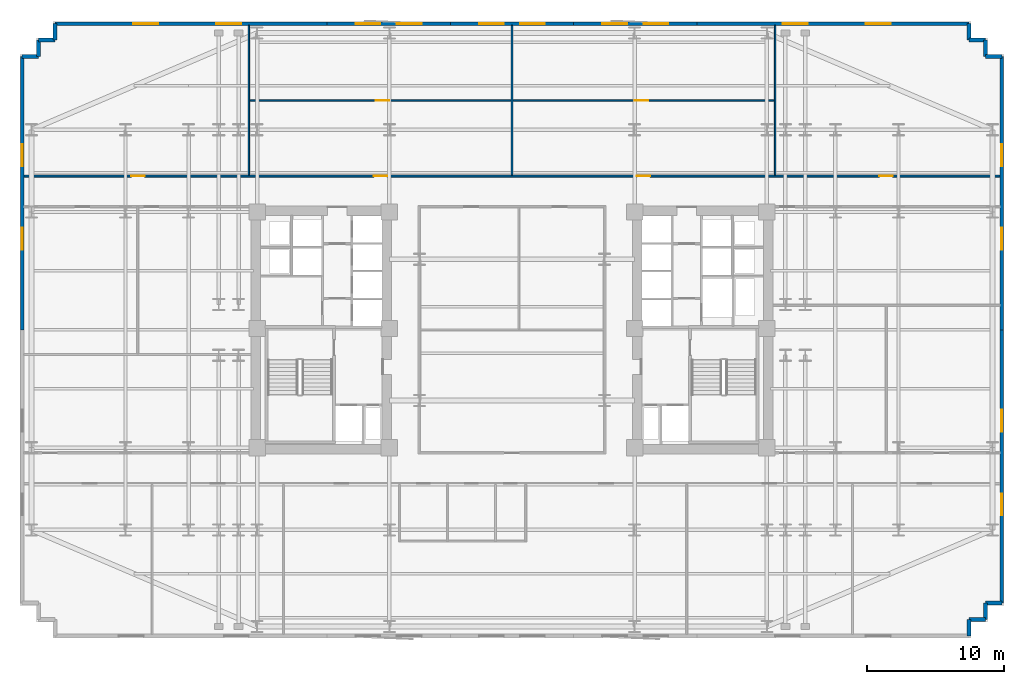
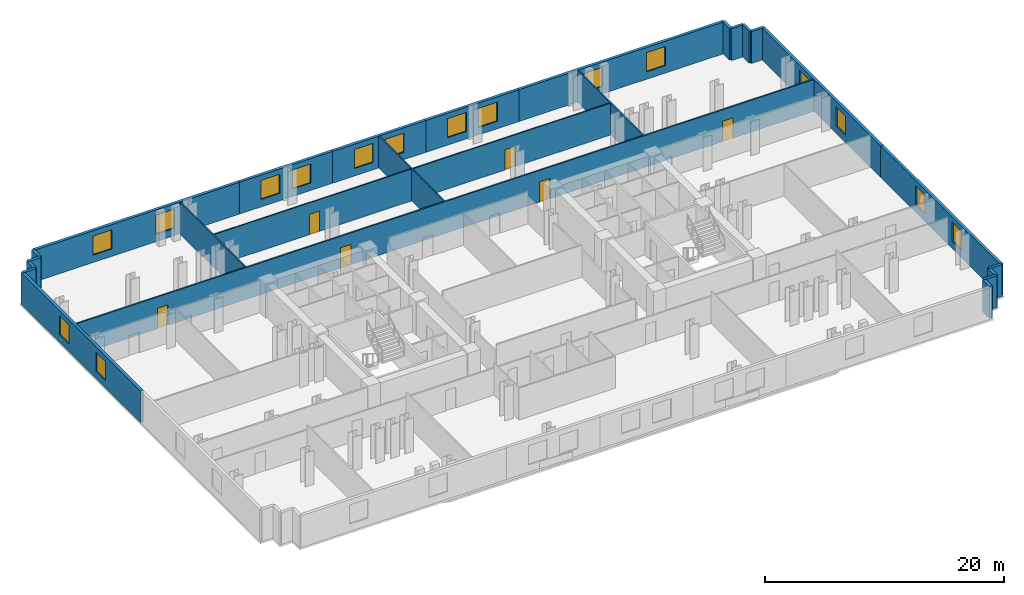
# One storey, part 7 of 10: 25 walls, 16 windows, 6 doors, 22 openings.
"""IFC4 building model written with IfcOpenShell, lengths in metres."""

from ifc_helpers import new_model, si_unit, direction, frame, frame_2d, origin, place, context, subcontext, project, spatial, rectangle, extrude, material, layer, layer_set, type_object, element, fill, save


model = new_model("IFC4")

# Units and contexts
model_context = context("Model", 3, precision=1e-05, world=origin(), true_north=direction((0.0, 1.0)))
body_context = subcontext(model_context, "Body", "Model", "MODEL_VIEW")
ifc_project = project(units=[si_unit("LENGTHUNIT", "METRE"), si_unit("AREAUNIT", "SQUARE_METRE"), si_unit("VOLUMEUNIT", "CUBIC_METRE"), si_unit("PLANEANGLEUNIT", "RADIAN"), si_unit("MASSUNIT", "GRAM", prefix="KILO")], contexts=[model_context])

# Site, building, storey
site_placement = place(None, origin())
site = spatial("IfcSite", under=ifc_project, at=site_placement, CompositionType="ELEMENT")
building_placement = place(site_placement, origin())
building = spatial("IfcBuilding", under=site, at=building_placement, Name="Velakula Bourse", CompositionType="ELEMENT")
storey_placement = place(building_placement, frame((0.0, 0.0, 51.89990234375)))
storey = spatial("IfcBuildingStorey", under=building, at=storey_placement, Name="L13", CompositionType="ELEMENT", Elevation=51.89990234375)

# Wall, openings, windows
ifc_material_1 = material(Name="Red kilned clay facing brick masonry", Category="masonry")
ifc_layer_1 = layer(ifc_material_1, 0.280029296875, Name="Red kilned clay facing brick masonry", Category="masonry")
ifc_layer_set_1 = layer_set([ifc_layer_1], Name="Red kilned clay facing brick masonry")
wall_type_1 = type_object("IfcWallType", Name="WL-EXT-BRK-280", PredefinedType="STANDARD", material=ifc_layer_set_1)
wall_1_placement = place(storey_placement, frame((-33.340087890625, 22.340087890625, 0.0), z_axis=(0.0, 0.0, 1.0), x_axis=(1.0, 0.0, 0.0)))
wall_1 = element("IfcWall", 1, at=wall_1_placement, inside=storey, type_object=wall_type_1, Name="L13 N Brick Spandrel Wall B1", PredefinedType="STANDARD", context=body_context, shape_type="SweptSolid", body=[
    extrude(rectangle(XDim=19.840087890625, YDim=0.280029296875, at=frame_2d((9.919921875, 0.0))), origin(), (0.0, 0.0, 1.0), 3.25),
])
opening_1_placement = place(wall_1_placement, frame((5.71337890625, 0.0, 0.760009765625)))
opening_1 = element("IfcOpeningElement", 2, at=opening_1_placement, cuts=wall_1, Name="Opening W-01", PredefinedType="OPENING", context=body_context, shape_type="SweptSolid", body=[
    extrude(rectangle(XDim=1.800048828125, YDim=1.949951171875, at=frame_2d((0.89990234375, 0.97509765625))), frame((0.0, 0.14990234375, 0.0), z_axis=(0.0, -1.0, 0.0), x_axis=(1.0, 0.0, 0.0)), (0.0, 0.0, 1.0), 0.300048828125),
])
opening_2_placement = place(wall_1_placement, frame((11.776611328125, 0.0, 0.760009765625)))
opening_2 = element("IfcOpeningElement", 3, at=opening_2_placement, cuts=wall_1, Name="Opening W-01", PredefinedType="OPENING", context=body_context, shape_type="SweptSolid", body=[
    extrude(rectangle(XDim=1.800048828125, YDim=1.949951171875, at=frame_2d((0.89990234375, 0.97509765625))), frame((0.0, 0.14990234375, 0.0), z_axis=(0.0, -1.0, 0.0), x_axis=(1.0, 0.0, 0.0)), (0.0, 0.0, 1.0), 0.300048828125),
])
ifc_material_2 = material(Name="Double-glazed solar-control Low-E glass", Category="glass")
window_type_1 = type_object("IfcWindowType", Name="WIN-TWR-1800x2100", PartitioningType="SINGLE_PANEL", PredefinedType="WINDOW", material=ifc_material_2)
window_1_placement = place(opening_1_placement, origin())
window_1 = element("IfcWindow", 4, at=window_1_placement, inside=storey, type_object=window_type_1, Name="L13 Deep-Set Recessed Window 1", OverallHeight=1.949951171875, OverallWidth=1.800048828125, PartitioningType="SINGLE_PANEL", PredefinedType="WINDOW", context=body_context, shape_type="SweptSolid", body=[
    extrude(rectangle(XDim=1.800048828125, YDim=1.949951171875, at=frame_2d((0.89990234375, 0.97509765625))), frame((0.0, 0.030029296875, 0.0), z_axis=(0.0, -1.0, 0.0), x_axis=(1.0, 0.0, 0.0)), (0.0, 0.0, 1.0), 0.06005859375),
])
fill(opening_1, window_1)
window_2_placement = place(opening_2_placement, origin())
window_2 = element("IfcWindow", 5, at=window_2_placement, inside=storey, type_object=window_type_1, Name="L13 Deep-Set Recessed Window 2", OverallHeight=1.949951171875, OverallWidth=1.800048828125, PartitioningType="SINGLE_PANEL", PredefinedType="WINDOW", context=body_context, shape_type="SweptSolid", body=[
    extrude(rectangle(XDim=1.800048828125, YDim=1.949951171875, at=frame_2d((0.89990234375, 0.97509765625))), frame((0.0, 0.030029296875, 0.0), z_axis=(0.0, -1.0, 0.0), x_axis=(1.0, 0.0, 0.0)), (0.0, 0.0, 1.0), 0.06005859375),
])
fill(opening_2, window_2)

wall_2_placement = place(storey_placement, frame((-13.5, 22.340087890625, 0.0), z_axis=(0.0, 0.0, 1.0), x_axis=(1.0, 0.0, 0.0)))
wall_2 = element("IfcWall", 6, at=wall_2_placement, inside=storey, type_object=wall_type_1, Name="L13 N Brick Spandrel Wall B2", PredefinedType="STANDARD", context=body_context, shape_type="SweptSolid", body=[
    extrude(rectangle(XDim=9.0, YDim=0.280029296875, at=frame_2d((4.5, 0.0))), origin(), (0.0, 0.0, 1.0), 3.25),
])
opening_3_placement = place(wall_2_placement, frame((2.10009765625, 0.0, 0.760009765625)))
opening_3 = element("IfcOpeningElement", 7, at=opening_3_placement, cuts=wall_2, Name="Opening W-01", PredefinedType="OPENING", context=body_context, shape_type="SweptSolid", body=[
    extrude(rectangle(XDim=1.800048828125, YDim=1.949951171875, at=frame_2d((0.89990234375, 0.97509765625))), frame((0.0, 0.14990234375, 0.0), z_axis=(0.0, -1.0, 0.0), x_axis=(1.0, 0.0, 0.0)), (0.0, 0.0, 1.0), 0.300048828125),
])
opening_4_placement = place(wall_2_placement, frame((5.10009765625, 0.0, 0.760009765625)))
opening_4 = element("IfcOpeningElement", 8, at=opening_4_placement, cuts=wall_2, Name="Opening W-01", PredefinedType="OPENING", context=body_context, shape_type="SweptSolid", body=[
    extrude(rectangle(XDim=1.800048828125, YDim=1.949951171875, at=frame_2d((0.89990234375, 0.97509765625))), frame((0.0, 0.14990234375, 0.0), z_axis=(0.0, -1.0, 0.0), x_axis=(1.0, 0.0, 0.0)), (0.0, 0.0, 1.0), 0.300048828125),
])
window_3_placement = place(opening_3_placement, origin())
window_3 = element("IfcWindow", 9, at=window_3_placement, inside=storey, type_object=window_type_1, Name="L13 Deep-Set Recessed Window 1", OverallHeight=1.949951171875, OverallWidth=1.800048828125, PartitioningType="SINGLE_PANEL", PredefinedType="WINDOW", context=body_context, shape_type="SweptSolid", body=[
    extrude(rectangle(XDim=1.800048828125, YDim=1.949951171875, at=frame_2d((0.89990234375, 0.97509765625))), frame((0.0, 0.030029296875, 0.0), z_axis=(0.0, -1.0, 0.0), x_axis=(1.0, 0.0, 0.0)), (0.0, 0.0, 1.0), 0.06005859375),
])
fill(opening_3, window_3)
window_4_placement = place(opening_4_placement, origin())
window_4 = element("IfcWindow", 10, at=window_4_placement, inside=storey, type_object=window_type_1, Name="L13 Deep-Set Recessed Window 2", OverallHeight=1.949951171875, OverallWidth=1.800048828125, PartitioningType="SINGLE_PANEL", PredefinedType="WINDOW", context=body_context, shape_type="SweptSolid", body=[
    extrude(rectangle(XDim=1.800048828125, YDim=1.949951171875, at=frame_2d((0.89990234375, 0.97509765625))), frame((0.0, 0.030029296875, 0.0), z_axis=(0.0, -1.0, 0.0), x_axis=(1.0, 0.0, 0.0)), (0.0, 0.0, 1.0), 0.06005859375),
])
fill(opening_4, window_4)

wall_3_placement = place(storey_placement, frame((-4.5, 22.340087890625, 0.0), z_axis=(0.0, 0.0, 1.0), x_axis=(1.0, 0.0, 0.0)))
wall_3 = element("IfcWall", 11, at=wall_3_placement, inside=storey, type_object=wall_type_1, Name="L13 N Brick Spandrel Wall B3", PredefinedType="STANDARD", context=body_context, shape_type="SweptSolid", body=[
    extrude(rectangle(XDim=9.0, YDim=0.280029296875, at=frame_2d((4.5, 0.0))), origin(), (0.0, 0.0, 1.0), 3.25),
])
opening_5_placement = place(wall_3_placement, frame((2.10009765625, 0.0, 0.760009765625)))
opening_5 = element("IfcOpeningElement", 12, at=opening_5_placement, cuts=wall_3, Name="Opening W-01", PredefinedType="OPENING", context=body_context, shape_type="SweptSolid", body=[
    extrude(rectangle(XDim=1.800048828125, YDim=1.949951171875, at=frame_2d((0.89990234375, 0.97509765625))), frame((0.0, 0.14990234375, 0.0), z_axis=(0.0, -1.0, 0.0), x_axis=(1.0, 0.0, 0.0)), (0.0, 0.0, 1.0), 0.300048828125),
])
opening_6_placement = place(wall_3_placement, frame((5.10009765625, 0.0, 0.760009765625)))
opening_6 = element("IfcOpeningElement", 13, at=opening_6_placement, cuts=wall_3, Name="Opening W-01", PredefinedType="OPENING", context=body_context, shape_type="SweptSolid", body=[
    extrude(rectangle(XDim=1.800048828125, YDim=1.949951171875, at=frame_2d((0.89990234375, 0.97509765625))), frame((0.0, 0.14990234375, 0.0), z_axis=(0.0, -1.0, 0.0), x_axis=(1.0, 0.0, 0.0)), (0.0, 0.0, 1.0), 0.300048828125),
])
window_5_placement = place(opening_5_placement, origin())
window_5 = element("IfcWindow", 14, at=window_5_placement, inside=storey, type_object=window_type_1, Name="L13 Deep-Set Recessed Window 1", OverallHeight=1.949951171875, OverallWidth=1.800048828125, PartitioningType="SINGLE_PANEL", PredefinedType="WINDOW", context=body_context, shape_type="SweptSolid", body=[
    extrude(rectangle(XDim=1.800048828125, YDim=1.949951171875, at=frame_2d((0.89990234375, 0.97509765625))), frame((0.0, 0.030029296875, 0.0), z_axis=(0.0, -1.0, 0.0), x_axis=(1.0, 0.0, 0.0)), (0.0, 0.0, 1.0), 0.06005859375),
])
fill(opening_5, window_5)
window_6_placement = place(opening_6_placement, origin())
window_6 = element("IfcWindow", 15, at=window_6_placement, inside=storey, type_object=window_type_1, Name="L13 Deep-Set Recessed Window 2", OverallHeight=1.949951171875, OverallWidth=1.800048828125, PartitioningType="SINGLE_PANEL", PredefinedType="WINDOW", context=body_context, shape_type="SweptSolid", body=[
    extrude(rectangle(XDim=1.800048828125, YDim=1.949951171875, at=frame_2d((0.89990234375, 0.97509765625))), frame((0.0, 0.030029296875, 0.0), z_axis=(0.0, -1.0, 0.0), x_axis=(1.0, 0.0, 0.0)), (0.0, 0.0, 1.0), 0.06005859375),
])
fill(opening_6, window_6)

wall_4_placement = place(storey_placement, frame((4.5, 22.340087890625, 0.0), z_axis=(0.0, 0.0, 1.0), x_axis=(1.0, 0.0, 0.0)))
wall_4 = element("IfcWall", 16, at=wall_4_placement, inside=storey, type_object=wall_type_1, Name="L13 N Brick Spandrel Wall B4", PredefinedType="STANDARD", context=body_context, shape_type="SweptSolid", body=[
    extrude(rectangle(XDim=9.0, YDim=0.280029296875, at=frame_2d((4.5, 0.0))), origin(), (0.0, 0.0, 1.0), 3.25),
])
opening_7_placement = place(wall_4_placement, frame((2.10009765625, 0.0, 0.760009765625)))
opening_7 = element("IfcOpeningElement", 17, at=opening_7_placement, cuts=wall_4, Name="Opening W-01", PredefinedType="OPENING", context=body_context, shape_type="SweptSolid", body=[
    extrude(rectangle(XDim=1.800048828125, YDim=1.949951171875, at=frame_2d((0.89990234375, 0.97509765625))), frame((0.0, 0.14990234375, 0.0), z_axis=(0.0, -1.0, 0.0), x_axis=(1.0, 0.0, 0.0)), (0.0, 0.0, 1.0), 0.300048828125),
])
opening_8_placement = place(wall_4_placement, frame((5.10009765625, 0.0, 0.760009765625)))
opening_8 = element("IfcOpeningElement", 18, at=opening_8_placement, cuts=wall_4, Name="Opening W-01", PredefinedType="OPENING", context=body_context, shape_type="SweptSolid", body=[
    extrude(rectangle(XDim=1.800048828125, YDim=1.949951171875, at=frame_2d((0.89990234375, 0.97509765625))), frame((0.0, 0.14990234375, 0.0), z_axis=(0.0, -1.0, 0.0), x_axis=(1.0, 0.0, 0.0)), (0.0, 0.0, 1.0), 0.300048828125),
])
window_7_placement = place(opening_7_placement, origin())
window_7 = element("IfcWindow", 19, at=window_7_placement, inside=storey, type_object=window_type_1, Name="L13 Deep-Set Recessed Window 1", OverallHeight=1.949951171875, OverallWidth=1.800048828125, PartitioningType="SINGLE_PANEL", PredefinedType="WINDOW", context=body_context, shape_type="SweptSolid", body=[
    extrude(rectangle(XDim=1.800048828125, YDim=1.949951171875, at=frame_2d((0.89990234375, 0.97509765625))), frame((0.0, 0.030029296875, 0.0), z_axis=(0.0, -1.0, 0.0), x_axis=(1.0, 0.0, 0.0)), (0.0, 0.0, 1.0), 0.06005859375),
])
fill(opening_7, window_7)
window_8_placement = place(opening_8_placement, origin())
window_8 = element("IfcWindow", 20, at=window_8_placement, inside=storey, type_object=window_type_1, Name="L13 Deep-Set Recessed Window 2", OverallHeight=1.949951171875, OverallWidth=1.800048828125, PartitioningType="SINGLE_PANEL", PredefinedType="WINDOW", context=body_context, shape_type="SweptSolid", body=[
    extrude(rectangle(XDim=1.800048828125, YDim=1.949951171875, at=frame_2d((0.89990234375, 0.97509765625))), frame((0.0, 0.030029296875, 0.0), z_axis=(0.0, -1.0, 0.0), x_axis=(1.0, 0.0, 0.0)), (0.0, 0.0, 1.0), 0.06005859375),
])
fill(opening_8, window_8)

wall_5_placement = place(storey_placement, frame((13.5, 22.340087890625, 0.0), z_axis=(0.0, 0.0, 1.0), x_axis=(1.0, 0.0, 0.0)))
wall_5 = element("IfcWall", 21, at=wall_5_placement, inside=storey, type_object=wall_type_1, Name="L13 N Brick Spandrel Wall B5", PredefinedType="STANDARD", context=body_context, shape_type="SweptSolid", body=[
    extrude(rectangle(XDim=19.840087890625, YDim=0.280029296875, at=frame_2d((9.919921875, 0.0))), origin(), (0.0, 0.0, 1.0), 3.25),
])
opening_9_placement = place(wall_5_placement, frame((6.26318359375, 0.0, 0.760009765625)))
opening_9 = element("IfcOpeningElement", 22, at=opening_9_placement, cuts=wall_5, Name="Opening W-01", PredefinedType="OPENING", context=body_context, shape_type="SweptSolid", body=[
    extrude(rectangle(XDim=1.800048828125, YDim=1.949951171875, at=frame_2d((0.89990234375, 0.97509765625))), frame((0.0, 0.14990234375, 0.0), z_axis=(0.0, -1.0, 0.0), x_axis=(1.0, 0.0, 0.0)), (0.0, 0.0, 1.0), 0.300048828125),
])
opening_10_placement = place(wall_5_placement, frame((12.32666015625, 0.0, 0.760009765625)))
opening_10 = element("IfcOpeningElement", 23, at=opening_10_placement, cuts=wall_5, Name="Opening W-01", PredefinedType="OPENING", context=body_context, shape_type="SweptSolid", body=[
    extrude(rectangle(XDim=1.800048828125, YDim=1.949951171875, at=frame_2d((0.89990234375, 0.97509765625))), frame((0.0, 0.14990234375, 0.0), z_axis=(0.0, -1.0, 0.0), x_axis=(1.0, 0.0, 0.0)), (0.0, 0.0, 1.0), 0.300048828125),
])
window_9_placement = place(opening_9_placement, origin())
window_9 = element("IfcWindow", 24, at=window_9_placement, inside=storey, type_object=window_type_1, Name="L13 Deep-Set Recessed Window 1", OverallHeight=1.949951171875, OverallWidth=1.800048828125, PartitioningType="SINGLE_PANEL", PredefinedType="WINDOW", context=body_context, shape_type="SweptSolid", body=[
    extrude(rectangle(XDim=1.800048828125, YDim=1.949951171875, at=frame_2d((0.89990234375, 0.97509765625))), frame((0.0, 0.030029296875, 0.0), z_axis=(0.0, -1.0, 0.0), x_axis=(1.0, 0.0, 0.0)), (0.0, 0.0, 1.0), 0.06005859375),
])
fill(opening_9, window_9)
window_10_placement = place(opening_10_placement, origin())
window_10 = element("IfcWindow", 25, at=window_10_placement, inside=storey, type_object=window_type_1, Name="L13 Deep-Set Recessed Window 2", OverallHeight=1.949951171875, OverallWidth=1.800048828125, PartitioningType="SINGLE_PANEL", PredefinedType="WINDOW", context=body_context, shape_type="SweptSolid", body=[
    extrude(rectangle(XDim=1.800048828125, YDim=1.949951171875, at=frame_2d((0.89990234375, 0.97509765625))), frame((0.0, 0.030029296875, 0.0), z_axis=(0.0, -1.0, 0.0), x_axis=(1.0, 0.0, 0.0)), (0.0, 0.0, 1.0), 0.06005859375),
])
fill(opening_10, window_10)

wall_6_placement = place(storey_placement, frame((-35.739990234375, 0.0, 0.0), z_axis=(0.0, 0.0, 1.0), x_axis=(0.0, 1.0, 0.0)))
wall_6 = element("IfcWall", 26, at=wall_6_placement, inside=storey, type_object=wall_type_1, Name="L13 W Brick End Wall W2", PredefinedType="STANDARD", context=body_context, shape_type="SweptSolid", body=[
    extrude(rectangle(XDim=19.93994140625, YDim=0.280029296875, at=frame_2d((9.969970703125, 0.0))), origin(), (0.0, 0.0, 1.0), 3.25),
])
opening_11_placement = place(wall_6_placement, frame((5.8466796875, 0.0, 0.760009765625)))
opening_11 = element("IfcOpeningElement", 27, at=opening_11_placement, cuts=wall_6, Name="Opening W-02", PredefinedType="OPENING", context=body_context, shape_type="SweptSolid", body=[
    extrude(rectangle(XDim=1.60009765625, YDim=1.949951171875, at=frame_2d((0.800048828125, 0.97509765625))), frame((0.0, 0.14990234375, 0.0), z_axis=(0.0, -1.0, 0.0), x_axis=(1.0, 0.0, 0.0)), (0.0, 0.0, 1.0), 0.300048828125),
])
opening_12_placement = place(wall_6_placement, frame((11.943359375, 0.0, 0.760009765625)))
opening_12 = element("IfcOpeningElement", 28, at=opening_12_placement, cuts=wall_6, Name="Opening W-02", PredefinedType="OPENING", context=body_context, shape_type="SweptSolid", body=[
    extrude(rectangle(XDim=1.60009765625, YDim=1.949951171875, at=frame_2d((0.800048828125, 0.97509765625))), frame((0.0, 0.14990234375, 0.0), z_axis=(0.0, -1.0, 0.0), x_axis=(1.0, 0.0, 0.0)), (0.0, 0.0, 1.0), 0.300048828125),
])
window_type_2 = type_object("IfcWindowType", Name="WIN-TWR-1600x2100", PartitioningType="SINGLE_PANEL", PredefinedType="WINDOW", material=ifc_material_2)
window_11_placement = place(opening_11_placement, origin())
window_11 = element("IfcWindow", 29, at=window_11_placement, inside=storey, type_object=window_type_2, Name="L13 Deep-Set Recessed Window 1", OverallHeight=1.949951171875, OverallWidth=1.60009765625, PartitioningType="SINGLE_PANEL", PredefinedType="WINDOW", context=body_context, shape_type="SweptSolid", body=[
    extrude(rectangle(XDim=1.60009765625, YDim=1.949951171875, at=frame_2d((0.800048828125, 0.97509765625))), frame((0.0, 0.030029296875, 0.0), z_axis=(0.0, -1.0, 0.0), x_axis=(1.0, 0.0, 0.0)), (0.0, 0.0, 1.0), 0.06005859375),
])
fill(opening_11, window_11)
window_12_placement = place(opening_12_placement, origin())
window_12 = element("IfcWindow", 30, at=window_12_placement, inside=storey, type_object=window_type_2, Name="L13 Deep-Set Recessed Window 2", OverallHeight=1.949951171875, OverallWidth=1.60009765625, PartitioningType="SINGLE_PANEL", PredefinedType="WINDOW", context=body_context, shape_type="SweptSolid", body=[
    extrude(rectangle(XDim=1.60009765625, YDim=1.949951171875, at=frame_2d((0.800048828125, 0.97509765625))), frame((0.0, 0.030029296875, 0.0), z_axis=(0.0, -1.0, 0.0), x_axis=(1.0, 0.0, 0.0)), (0.0, 0.0, 1.0), 0.06005859375),
])
fill(opening_12, window_12)

wall_7_placement = place(storey_placement, frame((35.739990234375, 0.0, 0.0), z_axis=(0.0, 0.0, 1.0), x_axis=(0.0, -1.0, 0.0)))
wall_7 = element("IfcWall", 31, at=wall_7_placement, inside=storey, type_object=wall_type_1, Name="L13 E Brick End Wall W1", PredefinedType="STANDARD", context=body_context, shape_type="SweptSolid", body=[
    extrude(rectangle(XDim=19.93994140625, YDim=0.280029296875, at=frame_2d((9.969970703125, 0.0))), origin(), (0.0, 0.0, 1.0), 3.25),
])
opening_13_placement = place(wall_7_placement, frame((5.8466796875, 0.0, 0.760009765625)))
opening_13 = element("IfcOpeningElement", 32, at=opening_13_placement, cuts=wall_7, Name="Opening W-02", PredefinedType="OPENING", context=body_context, shape_type="SweptSolid", body=[
    extrude(rectangle(XDim=1.60009765625, YDim=1.949951171875, at=frame_2d((0.800048828125, 0.97509765625))), frame((0.0, 0.14990234375, 0.0), z_axis=(0.0, -1.0, 0.0), x_axis=(1.0, 0.0, 0.0)), (0.0, 0.0, 1.0), 0.300048828125),
])
opening_14_placement = place(wall_7_placement, frame((11.943359375, 0.0, 0.760009765625)))
opening_14 = element("IfcOpeningElement", 33, at=opening_14_placement, cuts=wall_7, Name="Opening W-02", PredefinedType="OPENING", context=body_context, shape_type="SweptSolid", body=[
    extrude(rectangle(XDim=1.60009765625, YDim=1.949951171875, at=frame_2d((0.800048828125, 0.97509765625))), frame((0.0, 0.14990234375, 0.0), z_axis=(0.0, -1.0, 0.0), x_axis=(1.0, 0.0, 0.0)), (0.0, 0.0, 1.0), 0.300048828125),
])
window_13_placement = place(opening_13_placement, origin())
window_13 = element("IfcWindow", 34, at=window_13_placement, inside=storey, type_object=window_type_2, Name="L13 Deep-Set Recessed Window 1", OverallHeight=1.949951171875, OverallWidth=1.60009765625, PartitioningType="SINGLE_PANEL", PredefinedType="WINDOW", context=body_context, shape_type="SweptSolid", body=[
    extrude(rectangle(XDim=1.60009765625, YDim=1.949951171875, at=frame_2d((0.800048828125, 0.97509765625))), frame((0.0, 0.030029296875, 0.0), z_axis=(0.0, -1.0, 0.0), x_axis=(1.0, 0.0, 0.0)), (0.0, 0.0, 1.0), 0.06005859375),
])
fill(opening_13, window_13)
window_14_placement = place(opening_14_placement, origin())
window_14 = element("IfcWindow", 35, at=window_14_placement, inside=storey, type_object=window_type_2, Name="L13 Deep-Set Recessed Window 2", OverallHeight=1.949951171875, OverallWidth=1.60009765625, PartitioningType="SINGLE_PANEL", PredefinedType="WINDOW", context=body_context, shape_type="SweptSolid", body=[
    extrude(rectangle(XDim=1.60009765625, YDim=1.949951171875, at=frame_2d((0.800048828125, 0.97509765625))), frame((0.0, 0.030029296875, 0.0), z_axis=(0.0, -1.0, 0.0), x_axis=(1.0, 0.0, 0.0)), (0.0, 0.0, 1.0), 0.06005859375),
])
fill(opening_14, window_14)

wall_8_placement = place(storey_placement, frame((35.739990234375, 19.93994140625, 0.0), z_axis=(0.0, 0.0, 1.0), x_axis=(0.0, -1.0, 0.0)))
wall_8 = element("IfcWall", 36, at=wall_8_placement, inside=storey, type_object=wall_type_1, Name="L13 E Brick End Wall W2", PredefinedType="STANDARD", context=body_context, shape_type="SweptSolid", body=[
    extrude(rectangle(XDim=19.93994140625, YDim=0.280029296875, at=frame_2d((9.969970703125, 0.0))), origin(), (0.0, 0.0, 1.0), 3.25),
])
opening_15_placement = place(wall_8_placement, frame((6.396728515625, 0.0, 0.760009765625)))
opening_15 = element("IfcOpeningElement", 37, at=opening_15_placement, cuts=wall_8, Name="Opening W-02", PredefinedType="OPENING", context=body_context, shape_type="SweptSolid", body=[
    extrude(rectangle(XDim=1.60009765625, YDim=1.949951171875, at=frame_2d((0.800048828125, 0.97509765625))), frame((0.0, 0.14990234375, 0.0), z_axis=(0.0, -1.0, 0.0), x_axis=(1.0, 0.0, 0.0)), (0.0, 0.0, 1.0), 0.300048828125),
])
opening_16_placement = place(wall_8_placement, frame((12.493408203125, 0.0, 0.760009765625)))
opening_16 = element("IfcOpeningElement", 38, at=opening_16_placement, cuts=wall_8, Name="Opening W-02", PredefinedType="OPENING", context=body_context, shape_type="SweptSolid", body=[
    extrude(rectangle(XDim=1.60009765625, YDim=1.949951171875, at=frame_2d((0.800048828125, 0.97509765625))), frame((0.0, 0.14990234375, 0.0), z_axis=(0.0, -1.0, 0.0), x_axis=(1.0, 0.0, 0.0)), (0.0, 0.0, 1.0), 0.300048828125),
])
window_15_placement = place(opening_15_placement, origin())
window_15 = element("IfcWindow", 39, at=window_15_placement, inside=storey, type_object=window_type_2, Name="L13 Deep-Set Recessed Window 1", OverallHeight=1.949951171875, OverallWidth=1.60009765625, PartitioningType="SINGLE_PANEL", PredefinedType="WINDOW", context=body_context, shape_type="SweptSolid", body=[
    extrude(rectangle(XDim=1.60009765625, YDim=1.949951171875, at=frame_2d((0.800048828125, 0.97509765625))), frame((0.0, 0.030029296875, 0.0), z_axis=(0.0, -1.0, 0.0), x_axis=(1.0, 0.0, 0.0)), (0.0, 0.0, 1.0), 0.06005859375),
])
fill(opening_15, window_15)
window_16_placement = place(opening_16_placement, origin())
window_16 = element("IfcWindow", 40, at=window_16_placement, inside=storey, type_object=window_type_2, Name="L13 Deep-Set Recessed Window 2", OverallHeight=1.949951171875, OverallWidth=1.60009765625, PartitioningType="SINGLE_PANEL", PredefinedType="WINDOW", context=body_context, shape_type="SweptSolid", body=[
    extrude(rectangle(XDim=1.60009765625, YDim=1.949951171875, at=frame_2d((0.800048828125, 0.97509765625))), frame((0.0, 0.030029296875, 0.0), z_axis=(0.0, -1.0, 0.0), x_axis=(1.0, 0.0, 0.0)), (0.0, 0.0, 1.0), 0.06005859375),
])
fill(opening_16, window_16)

# Walls
wall_9_placement = place(storey_placement, frame((33.340087890625, -22.340087890625, 0.0), z_axis=(0.0, 0.0, 1.0), x_axis=(0.0, 1.0, 0.0)))
element("IfcWall", 41, at=wall_9_placement, inside=storey, type_object=wall_type_1, Name="L13 Serrated Corner Brick Wall SE-1", PredefinedType="STANDARD", context=body_context, shape_type="SweptSolid", body=[
    extrude(rectangle(XDim=1.2001953125, YDim=0.280029296875, at=frame_2d((0.60009765625, 0.0))), origin(), (0.0, 0.0, 1.0), 3.25),
])
for number, where, z_axis, x_axis, name in (
    (42, (33.340087890625, -21.139892578125, 0.0), (0.0, 0.0, 1.0), (1.0, 0.0, 0.0), "L13 Serrated Corner Brick Wall SE-2"),
    (43, (34.5400390625, -21.139892578125, 0.0), (0.0, 0.0, 1.0), (0.0, 1.0, 0.0), "L13 Serrated Corner Brick Wall SE-3"),
    (44, (34.5400390625, -19.93994140625, 0.0), (0.0, 0.0, 1.0), (1.0, 0.0, 0.0), "L13 Serrated Corner Brick Wall SE-4"),
    (45, (35.739990234375, 19.93994140625, 0.0), (0.0, 0.0, 1.0), (-1.0, 0.0, 0.0), "L13 Serrated Corner Brick Wall NE-1"),
    (46, (34.5400390625, 19.93994140625, 0.0), (0.0, 0.0, 1.0), (0.0, 1.0, 0.0), "L13 Serrated Corner Brick Wall NE-2"),
    (47, (34.5400390625, 21.139892578125, 0.0), (0.0, 0.0, 1.0), (-1.0, 0.0, 0.0), "L13 Serrated Corner Brick Wall NE-3"),
):
    element("IfcWall", number, at=place(storey_placement, frame(where, z_axis=z_axis, x_axis=x_axis)), inside=storey, type_object=wall_type_1, Name=name, PredefinedType="STANDARD", context=body_context, shape_type="SweptSolid", body=[
        extrude(rectangle(XDim=1.199951171875, YDim=0.280029296875, at=frame_2d((0.60009765625, 0.0))), origin(), (0.0, 0.0, 1.0), 3.25),
    ])
for number, where, z_axis, x_axis, name in (
    (48, (33.340087890625, 21.139892578125, 0.0), (0.0, 0.0, 1.0), (0.0, 1.0, 0.0), "L13 Serrated Corner Brick Wall NE-4"),
    (49, (-33.340087890625, 22.340087890625, 0.0), (0.0, 0.0, 1.0), (0.0, -1.0, 0.0), "L13 Serrated Corner Brick Wall NW-1"),
):
    element("IfcWall", number, at=place(storey_placement, frame(where, z_axis=z_axis, x_axis=x_axis)), inside=storey, type_object=wall_type_1, Name=name, PredefinedType="STANDARD", context=body_context, shape_type="SweptSolid", body=[
        extrude(rectangle(XDim=1.2001953125, YDim=0.280029296875, at=frame_2d((0.60009765625, 0.0))), origin(), (0.0, 0.0, 1.0), 3.25),
    ])
for number, where, z_axis, x_axis, name in (
    (50, (-33.340087890625, 21.139892578125, 0.0), (0.0, 0.0, 1.0), (-1.0, 0.0, 0.0), "L13 Serrated Corner Brick Wall NW-2"),
    (51, (-34.5400390625, 21.139892578125, 0.0), (0.0, 0.0, 1.0), (0.0, -1.0, 0.0), "L13 Serrated Corner Brick Wall NW-3"),
    (52, (-34.5400390625, 19.93994140625, 0.0), (0.0, 0.0, 1.0), (-1.0, 0.0, 0.0), "L13 Serrated Corner Brick Wall NW-4"),
):
    element("IfcWall", number, at=place(storey_placement, frame(where, z_axis=z_axis, x_axis=x_axis)), inside=storey, type_object=wall_type_1, Name=name, PredefinedType="STANDARD", context=body_context, shape_type="SweptSolid", body=[
        extrude(rectangle(XDim=1.199951171875, YDim=0.280029296875, at=frame_2d((0.60009765625, 0.0))), origin(), (0.0, 0.0, 1.0), 3.25),
    ])
ifc_material_3 = material(Name="Fire-rated double-layer gypsum drywall partition", Category="gypsum")
ifc_layer_2 = layer(ifc_material_3, 0.1201171875, Name="Fire-rated double-layer gypsum drywall partition", Category="gypsum")
ifc_layer_set_2 = layer_set([ifc_layer_2], Name="Fire-rated double-layer gypsum drywall partition")
wall_type_2 = type_object("IfcWallType", Name="WL-PART-120", PredefinedType="STANDARD", material=ifc_layer_set_2)
for number, where, z_axis, x_axis, name in (
    (53, (-19.201904296875, 11.2900390625, 0.0), (0.0, 0.0, 1.0), (0.0, 1.0, 0.0), "L13 Interior Partition WL-INT-L13-N-D1"),
    (54, (0.0, 11.2900390625, 0.0), (0.0, 0.0, 1.0), (0.0, 1.0, 0.0), "L13 Interior Partition WL-INT-L13-N-D2"),
    (55, (19.201904296875, 11.2900390625, 0.0), (0.0, 0.0, 1.0), (0.0, 1.0, 0.0), "L13 Interior Partition WL-INT-L13-N-D3"),
):
    element("IfcWall", number, at=place(storey_placement, frame(where, z_axis=z_axis, x_axis=x_axis)), inside=storey, type_object=wall_type_2, Name=name, PredefinedType="STANDARD", context=body_context, shape_type="SweptSolid", body=[
        extrude(rectangle(XDim=10.929931640625, YDim=0.1201171875, at=frame_2d((5.46484375, 0.0))), origin(), (0.0, 0.0, 1.0), 3.25),
    ])

# Wall, openings, doors
wall_10_placement = place(storey_placement, frame((-19.14208984375, 16.72509765625, 0.0), z_axis=(0.0, 0.0, 1.0), x_axis=(1.0, 0.0, 0.0)))
wall_10 = element("IfcWall", 56, at=wall_10_placement, inside=storey, type_object=wall_type_2, Name="L13 Interior Partition WL-INT-L13-N-MID", PredefinedType="STANDARD", context=body_context, shape_type="SweptSolid", body=[
    extrude(rectangle(XDim=38.2841796875, YDim=0.1201171875, at=frame_2d((19.14208984375, 0.0))), origin(), (0.0, 0.0, 1.0), 3.25),
])
opening_17_placement = place(wall_10_placement, frame((9.197998046875, 0.0, 0.0)))
opening_17 = element("IfcOpeningElement", 57, at=opening_17_placement, cuts=wall_10, Name="Opening D-OF1", PredefinedType="OPENING", context=body_context, shape_type="SweptSolid", body=[
    extrude(rectangle(XDim=1.0, YDim=2.080078125, at=frame_2d((0.5, 1.0400390625))), frame((0.0, 0.070068359375, 0.0), z_axis=(0.0, -1.0, 0.0), x_axis=(1.0, 0.0, 0.0)), (0.0, 0.0, 1.0), 0.14013671875),
])
opening_18_placement = place(wall_10_placement, frame((28.0859375, 0.0, 0.0)))
opening_18 = element("IfcOpeningElement", 58, at=opening_18_placement, cuts=wall_10, Name="Opening D-OF1", PredefinedType="OPENING", context=body_context, shape_type="SweptSolid", body=[
    extrude(rectangle(XDim=1.0, YDim=2.080078125, at=frame_2d((0.5, 1.0400390625))), frame((0.0, 0.070068359375, 0.0), z_axis=(0.0, -1.0, 0.0), x_axis=(1.0, 0.0, 0.0)), (0.0, 0.0, 1.0), 0.14013671875),
])
ifc_material_4 = material(Name="Fire-rated hardwood flush architectural door", Category="wood")
door_type = type_object("IfcDoorType", Name="DR-OFF-1000", OperationType="NOTDEFINED", PredefinedType="DOOR", material=ifc_material_4)
door_1_placement = place(opening_17_placement, origin())
door_1 = element("IfcDoor", 59, at=door_1_placement, inside=storey, type_object=door_type, Name="L13 Listing Committee Chamber Door", OperationType="SINGLE_SWING_LEFT", OverallHeight=2.080078125, OverallWidth=1.0, PredefinedType="DOOR", context=body_context, shape_type="SweptSolid", body=[
    extrude(rectangle(XDim=1.0, YDim=2.080078125, at=frame_2d((0.5, 1.0400390625))), frame((0.0, 0.02490234375, 0.0), z_axis=(0.0, -1.0, 0.0), x_axis=(1.0, 0.0, 0.0)), (0.0, 0.0, 1.0), 0.050048828125),
])
fill(opening_17, door_1)
door_2_placement = place(opening_18_placement, origin())
door_2 = element("IfcDoor", 60, at=door_2_placement, inside=storey, type_object=door_type, Name="L13 Traders Pantry Door", OperationType="SINGLE_SWING_LEFT", OverallHeight=2.080078125, OverallWidth=1.0, PredefinedType="DOOR", context=body_context, shape_type="SweptSolid", body=[
    extrude(rectangle(XDim=1.0, YDim=2.080078125, at=frame_2d((0.5, 1.0400390625))), frame((0.0, 0.02490234375, 0.0), z_axis=(0.0, -1.0, 0.0), x_axis=(1.0, 0.0, 0.0)), (0.0, 0.0, 1.0), 0.050048828125),
])
fill(opening_18, door_2)

ifc_layer_3 = layer(ifc_material_3, 0.139892578125, Name="Fire-rated double-layer gypsum drywall partition", Category="gypsum")
ifc_layer_set_3 = layer_set([ifc_layer_3], Name="Fire-rated double-layer gypsum drywall partition")
wall_type_3 = type_object("IfcWallType", Name="WL-PART-140", PredefinedType="STANDARD", material=ifc_layer_set_3)
wall_11_placement = place(storey_placement, frame((-35.6201171875, 11.219970703125, 0.0), z_axis=(0.0, 0.0, 1.0), x_axis=(1.0, 0.0, 0.0)))
wall_11 = element("IfcWall", 61, at=wall_11_placement, inside=storey, type_object=wall_type_3, Name="L13 Interior Partition WL-INT-L13-N-CORR", PredefinedType="STANDARD", context=body_context, shape_type="SweptSolid", body=[
    extrude(rectangle(XDim=71.240234375, YDim=0.139892578125, at=frame_2d((35.6201171875, 0.0))), origin(), (0.0, 0.0, 1.0), 3.25),
])
opening_19_placement = place(wall_11_placement, frame((7.8349609375, 0.0, 0.0)))
opening_19 = element("IfcOpeningElement", 62, at=opening_19_placement, cuts=wall_11, Name="Opening D-OF1", PredefinedType="OPENING", context=body_context, shape_type="SweptSolid", body=[
    extrude(rectangle(XDim=1.0, YDim=2.080078125, at=frame_2d((0.5, 1.0400390625))), frame((0.0, 0.079833984375, 0.0), z_axis=(0.0, -1.0, 0.0), x_axis=(1.0, 0.0, 0.0)), (0.0, 0.0, 1.0), 0.159912109375),
])
opening_20_placement = place(wall_11_placement, frame((25.51904296875, 0.0, 0.0)))
opening_20 = element("IfcOpeningElement", 63, at=opening_20_placement, cuts=wall_11, Name="Opening D-OF1", PredefinedType="OPENING", context=body_context, shape_type="SweptSolid", body=[
    extrude(rectangle(XDim=1.0, YDim=2.080078125, at=frame_2d((0.5, 1.0400390625))), frame((0.0, 0.079833984375, 0.0), z_axis=(0.0, -1.0, 0.0), x_axis=(1.0, 0.0, 0.0)), (0.0, 0.0, 1.0), 0.159912109375),
])
opening_21_placement = place(wall_11_placement, frame((44.720947265625, 0.0, 0.0)))
opening_21 = element("IfcOpeningElement", 64, at=opening_21_placement, cuts=wall_11, Name="Opening D-OF1", PredefinedType="OPENING", context=body_context, shape_type="SweptSolid", body=[
    extrude(rectangle(XDim=1.0, YDim=2.080078125, at=frame_2d((0.5, 1.0400390625))), frame((0.0, 0.079833984375, 0.0), z_axis=(0.0, -1.0, 0.0), x_axis=(1.0, 0.0, 0.0)), (0.0, 0.0, 1.0), 0.159912109375),
])
opening_22_placement = place(wall_11_placement, frame((62.405029296875, 0.0, 0.0)))
opening_22 = element("IfcOpeningElement", 65, at=opening_22_placement, cuts=wall_11, Name="Opening D-OF1", PredefinedType="OPENING", context=body_context, shape_type="SweptSolid", body=[
    extrude(rectangle(XDim=1.0, YDim=2.080078125, at=frame_2d((0.5, 1.0400390625))), frame((0.0, 0.079833984375, 0.0), z_axis=(0.0, -1.0, 0.0), x_axis=(1.0, 0.0, 0.0)), (0.0, 0.0, 1.0), 0.159912109375),
])
door_3_placement = place(opening_19_placement, origin())
door_3 = element("IfcDoor", 66, at=door_3_placement, inside=storey, type_object=door_type, Name="L13 Algorithmic Dealing Workspace Door", OperationType="SINGLE_SWING_LEFT", OverallHeight=2.080078125, OverallWidth=1.0, PredefinedType="DOOR", context=body_context, shape_type="SweptSolid", body=[
    extrude(rectangle(XDim=1.0, YDim=2.080078125, at=frame_2d((0.5, 1.0400390625))), frame((0.0, 0.02490234375, 0.0), z_axis=(0.0, -1.0, 0.0), x_axis=(1.0, 0.0, 0.0)), (0.0, 0.0, 1.0), 0.050048828125),
])
fill(opening_19, door_3)
door_4_placement = place(opening_20_placement, origin())
door_4 = element("IfcDoor", 67, at=door_4_placement, inside=storey, type_object=door_type, Name="L13 Listing Committee Chamber Door", OperationType="SINGLE_SWING_RIGHT", OverallHeight=2.080078125, OverallWidth=1.0, PredefinedType="DOOR", context=body_context, shape_type="SweptSolid", body=[
    extrude(rectangle(XDim=1.0, YDim=2.080078125, at=frame_2d((0.5, 1.0400390625))), frame((0.0, 0.02490234375, 0.0), z_axis=(0.0, -1.0, 0.0), x_axis=(1.0, 0.0, 0.0)), (0.0, 0.0, 1.0), 0.050048828125),
])
fill(opening_20, door_4)
door_5_placement = place(opening_21_placement, origin())
door_5 = element("IfcDoor", 68, at=door_5_placement, inside=storey, type_object=door_type, Name="L13 Training Classroom Door", OperationType="SINGLE_SWING_RIGHT", OverallHeight=2.080078125, OverallWidth=1.0, PredefinedType="DOOR", context=body_context, shape_type="SweptSolid", body=[
    extrude(rectangle(XDim=1.0, YDim=2.080078125, at=frame_2d((0.5, 1.0400390625))), frame((0.0, 0.02490234375, 0.0), z_axis=(0.0, -1.0, 0.0), x_axis=(1.0, 0.0, 0.0)), (0.0, 0.0, 1.0), 0.050048828125),
])
fill(opening_21, door_5)
door_6_placement = place(opening_22_placement, origin())
door_6 = element("IfcDoor", 69, at=door_6_placement, inside=storey, type_object=door_type, Name="L13 Members Dining Lounge Door", OperationType="SINGLE_SWING_RIGHT", OverallHeight=2.080078125, OverallWidth=1.0, PredefinedType="DOOR", context=body_context, shape_type="SweptSolid", body=[
    extrude(rectangle(XDim=1.0, YDim=2.080078125, at=frame_2d((0.5, 1.0400390625))), frame((0.0, 0.02490234375, 0.0), z_axis=(0.0, -1.0, 0.0), x_axis=(1.0, 0.0, 0.0)), (0.0, 0.0, 1.0), 0.050048828125),
])
fill(opening_22, door_6)

save(model, "model.ifc")
